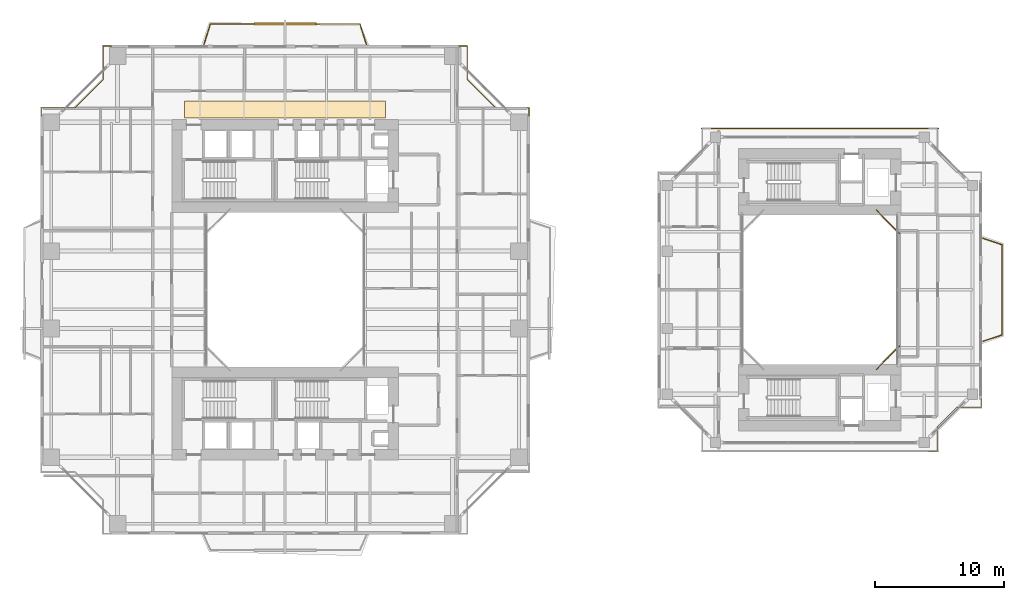
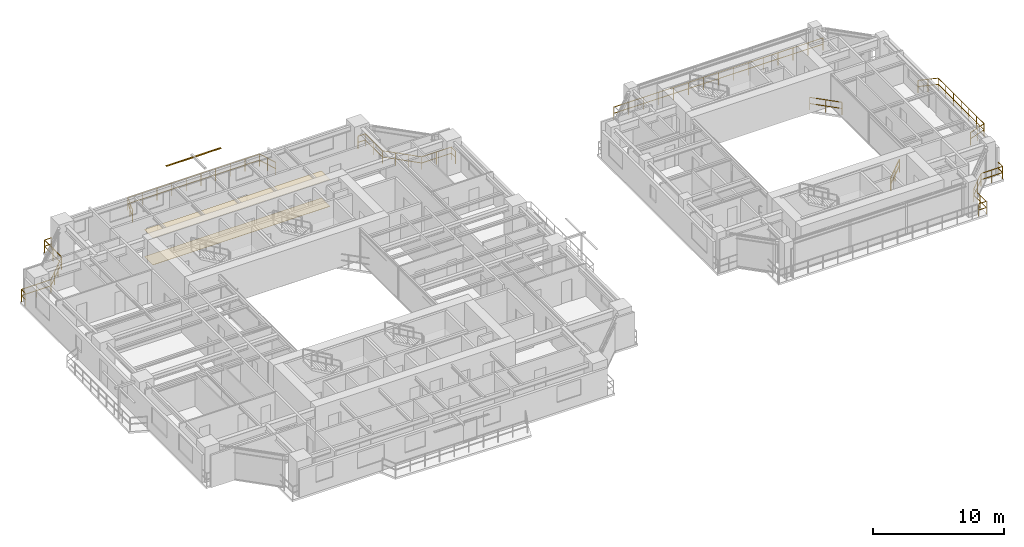
# One storey, part 22 of 23: 8 railings, 2 coverings, 1 shading device.
"""IFC4 building model written with IfcOpenShell, lengths in metres."""

from ifc_helpers import new_model, si_unit, direction, frame, origin, origin_2d, place, context, subcontext, project, spatial, polyline, rectangle, outline, extrude, source, transform, mapped, material, layer, layer_set, material_profile, profile_set, type_object, element, save


model = new_model("IFC4")

# Units and contexts
model_context = context("Model", 3, precision=1e-05, world=origin(), true_north=direction((0.0, 1.0)))
body_context = subcontext(model_context, "Body", "Model", "MODEL_VIEW")
ifc_project = project(units=[si_unit("LENGTHUNIT", "METRE"), si_unit("AREAUNIT", "SQUARE_METRE"), si_unit("VOLUMEUNIT", "CUBIC_METRE"), si_unit("PLANEANGLEUNIT", "RADIAN"), si_unit("MASSUNIT", "GRAM", prefix="KILO"), si_unit("THERMODYNAMICTEMPERATUREUNIT", "KELVIN"), si_unit("POWERUNIT", "WATT")], contexts=[model_context])

# Site, building, storey
site_placement = place(None, origin())
site = spatial("IfcSite", under=ifc_project, at=site_placement, CompositionType="ELEMENT")
building_placement = place(site_placement, origin())
building = spatial("IfcBuilding", under=site, at=building_placement, Name="Qiaomeng Ring Towers", CompositionType="ELEMENT")
storey_placement = place(building_placement, frame((0.0, 0.0, 89.25)))
storey = spatial("IfcBuildingStorey", under=building, at=storey_placement, Name="L25", CompositionType="ELEMENT", Elevation=89.25)

# Coverings
ifc_material_1 = material(Name="Moisture-resistant gypsum ceiling board", Category="gypsum")
ifc_layer_1 = layer(ifc_material_1, 0.030029296875, Name="Moisture-resistant gypsum ceiling board")
ifc_layer_set_1 = layer_set([ifc_layer_1], Name="Moisture-resistant gypsum ceiling board")
covering_type_1 = type_object("IfcCoveringType", Name="ARC-COV-CEIL2", PredefinedType="CEILING", material=ifc_layer_set_1)
covering_1_placement = place(storey_placement, frame((0.0, 0.0, 2.510009765625)))
element("IfcCovering", 1, at=covering_1_placement, inside=storey, type_object=covering_type_1, Name="L25 Corridor Acoustic Ceiling", PredefinedType="CEILING", context=body_context, shape_type="SweptSolid", body=[
    extrude(outline(polyline([(11.199951171875, 36.35009765625), (11.199951171875, 37.64990234375), (26.800048828125, 37.64990234375), (26.800048828125, 36.35009765625), (11.199951171875, 36.35009765625)])), origin(), (0.0, 0.0, 1.0), 0.02490234375),
])
ifc_material_2 = material(Name="Vitrified porcelain floor tile", Category="ceramic")
ifc_layer_2 = layer(ifc_material_2, 0.02001953125, Name="Vitrified porcelain floor tile")
ifc_layer_set_2 = layer_set([ifc_layer_2], Name="Vitrified porcelain floor tile")
covering_type_2 = type_object("IfcCoveringType", Name="ARC-COV-FLR1", PredefinedType="FLOORING", material=ifc_layer_set_2)
covering_2_placement = place(storey_placement, origin())
element("IfcCovering", 2, at=covering_2_placement, inside=storey, type_object=covering_type_2, Name="L25 Corridor Stone Flooring", PredefinedType="FLOORING", context=body_context, shape_type="SweptSolid", body=[
    extrude(outline(polyline([(11.199951171875, 36.35009765625), (11.199951171875, 37.64990234375), (26.800048828125, 37.64990234375), (26.800048828125, 36.35009765625), (11.199951171875, 36.35009765625)])), origin(), (0.0, 0.0, 1.0), 0.02001953125),
])

# Railings
ifc_material_3 = material(Name="Low-E pale-green laminated safety glass", Category="glass")
railing_type = type_object("IfcRailingType", Name="ARC-RL-BAL1", PredefinedType="BALUSTRADE", material=ifc_material_3)
railing_1_placement = place(storey_placement, frame((37.919921875, 36.469970703125, 0.0)))
element("IfcRailing", 3, at=railing_1_placement, inside=storey, type_object=railing_type, Name="L25 Balustrade ARC-BAL-NOTCH1-L25-NE", PredefinedType="BALUSTRADE", context=body_context, shape_type="SweptSolid", body=[
    extrude(rectangle(XDim=0.048095703125, YDim=0.048095703125, at=origin_2d()), frame((0.0, 0.0, 1.17578125), z_axis=(0.0, 1.0, 0.0), x_axis=(-1.0, 0.0, 0.0)), (0.0, 0.0, 1.0), 0.650146484375),
    extrude(rectangle(XDim=0.048095703125, YDim=0.048095703125, at=origin_2d()), frame((0.0, 0.0, 0.60009765625), z_axis=(0.0, 1.0, 0.0), x_axis=(-1.0, 0.0, 0.0)), (0.0, 0.0, 1.0), 0.650146484375),
    extrude(rectangle(XDim=0.048095703125, YDim=0.048095703125, at=origin_2d()), frame((0.0, 0.650146484375, 1.17578125), z_axis=(-1.0, 0.0, 0.0), x_axis=(0.0, -1.0, 0.0)), (0.0, 0.0, 1.0), 2.599853515625),
    extrude(rectangle(XDim=0.048095703125, YDim=0.048095703125, at=origin_2d()), frame((0.0, 0.650146484375, 0.60009765625), z_axis=(-1.0, 0.0, 0.0), x_axis=(0.0, -1.0, 0.0)), (0.0, 0.0, 1.0), 2.599853515625),
    extrude(rectangle(XDim=0.048095703125, YDim=0.048095703125, at=origin_2d()), frame((-2.599853515625, 0.650146484375, 1.17578125), z_axis=(-0.707106781187, 0.707106781187, 0.0), x_axis=(-0.707106781187, -0.707106781187, 0.0)), (0.0, 0.0, 1.0), 3.111083984375),
    extrude(rectangle(XDim=0.048095703125, YDim=0.048095703125, at=origin_2d()), frame((-2.599853515625, 0.650146484375, 0.60009765625), z_axis=(-0.707106781187, 0.707106781187, 0.0), x_axis=(-0.707106781187, -0.707106781187, 0.0)), (0.0, 0.0, 1.0), 3.111083984375),
    extrude(rectangle(XDim=0.048095703125, YDim=0.048095703125, at=origin_2d()), frame((-4.7998046875, 2.85009765625, 1.17578125), z_axis=(0.0, 1.0, 0.0), x_axis=(-1.0, 0.0, 0.0)), (0.0, 0.0, 1.0), 2.599853515625),
    extrude(rectangle(XDim=0.048095703125, YDim=0.048095703125, at=origin_2d()), frame((-4.7998046875, 2.85009765625, 0.60009765625), z_axis=(0.0, 1.0, 0.0), x_axis=(-1.0, 0.0, 0.0)), (0.0, 0.0, 1.0), 2.599853515625),
    extrude(rectangle(XDim=0.048095703125, YDim=0.048095703125, at=origin_2d()), frame((-4.7998046875, 5.449951171875, 1.17578125), z_axis=(-1.0, 0.0, 0.0), x_axis=(0.0, -1.0, 0.0)), (0.0, 0.0, 1.0), 0.650146484375),
    extrude(rectangle(XDim=0.048095703125, YDim=0.048095703125, at=origin_2d()), frame((-4.7998046875, 5.449951171875, 0.60009765625), z_axis=(-1.0, 0.0, 0.0), x_axis=(0.0, -1.0, 0.0)), (0.0, 0.0, 1.0), 0.650146484375),
    extrude(rectangle(XDim=0.0419921875, YDim=0.0419921875, at=origin_2d()), origin(), (0.0, 0.0, 1.0), 1.15185546875),
    extrude(rectangle(XDim=0.0419921875, YDim=0.0419921875, at=origin_2d()), frame((0.0, 0.650146484375, 0.0)), (0.0, 0.0, 1.0), 1.15185546875),
    extrude(rectangle(XDim=0.0419921875, YDim=0.0419921875, at=origin_2d()), frame((-1.2998046875, 0.650146484375, 0.0)), (0.0, 0.0, 1.0), 1.15185546875),
    extrude(rectangle(XDim=0.0419921875, YDim=0.0419921875, at=origin_2d()), frame((-2.599853515625, 0.650146484375, 0.0)), (0.0, 0.0, 1.0), 1.15185546875),
    extrude(rectangle(XDim=0.0419921875, YDim=0.0419921875, at=origin_2d()), frame((-3.333251953125, 1.383544921875, 0.0)), (0.0, 0.0, 1.0), 1.15185546875),
    extrude(rectangle(XDim=0.0419921875, YDim=0.0419921875, at=origin_2d()), frame((-4.06640625, 2.11669921875, 0.0)), (0.0, 0.0, 1.0), 1.15185546875),
    extrude(rectangle(XDim=0.0419921875, YDim=0.0419921875, at=origin_2d()), frame((-4.7998046875, 2.85009765625, 0.0)), (0.0, 0.0, 1.0), 1.15185546875),
    extrude(rectangle(XDim=0.0419921875, YDim=0.0419921875, at=origin_2d()), frame((-4.7998046875, 4.14990234375, 0.0)), (0.0, 0.0, 1.0), 1.15185546875),
    extrude(rectangle(XDim=0.0419921875, YDim=0.0419921875, at=origin_2d()), frame((-4.7998046875, 5.449951171875, 0.0)), (0.0, 0.0, 1.0), 1.15185546875),
    extrude(rectangle(XDim=0.0419921875, YDim=0.0419921875, at=origin_2d()), frame((-5.449951171875, 5.449951171875, 0.0)), (0.0, 0.0, 1.0), 1.15185546875),
])
railing_2_placement = place(storey_placement, frame((5.530029296875, 41.919921875, 0.0)))
element("IfcRailing", 4, at=railing_2_placement, inside=storey, type_object=railing_type, Name="L25 Balustrade ARC-BAL-NOTCH1-L25-NW", PredefinedType="BALUSTRADE", context=body_context, shape_type="SweptSolid", body=[
    extrude(rectangle(XDim=0.048095703125, YDim=0.048095703125, at=origin_2d()), frame((0.0, 0.0, 1.17578125), z_axis=(-1.0, 0.0, 0.0), x_axis=(0.0, -1.0, 0.0)), (0.0, 0.0, 1.0), 0.650146484375),
    extrude(rectangle(XDim=0.048095703125, YDim=0.048095703125, at=origin_2d()), frame((0.0, 0.0, 0.60009765625), z_axis=(-1.0, 0.0, 0.0), x_axis=(0.0, -1.0, 0.0)), (0.0, 0.0, 1.0), 0.650146484375),
    extrude(rectangle(XDim=0.048095703125, YDim=0.048095703125, at=origin_2d()), frame((-0.650146484375, 0.0, 1.17578125), z_axis=(0.0, -1.0, 0.0), x_axis=(1.0, 0.0, 0.0)), (0.0, 0.0, 1.0), 2.599853515625),
    extrude(rectangle(XDim=0.048095703125, YDim=0.048095703125, at=origin_2d()), frame((-0.650146484375, 0.0, 0.60009765625), z_axis=(0.0, -1.0, 0.0), x_axis=(1.0, 0.0, 0.0)), (0.0, 0.0, 1.0), 2.599853515625),
    extrude(rectangle(XDim=0.048095703125, YDim=0.048095703125, at=origin_2d()), frame((-0.650146484375, -2.599853515625, 1.17578125), z_axis=(-0.707106781187, -0.707106781187, 0.0), x_axis=(0.707106781187, -0.707106781187, 0.0)), (0.0, 0.0, 1.0), 3.111083984375),
    extrude(rectangle(XDim=0.048095703125, YDim=0.048095703125, at=origin_2d()), frame((-0.650146484375, -2.599853515625, 0.60009765625), z_axis=(-0.707106781187, -0.707106781187, 0.0), x_axis=(0.707106781187, -0.707106781187, 0.0)), (0.0, 0.0, 1.0), 3.111083984375),
    extrude(rectangle(XDim=0.048095703125, YDim=0.048095703125, at=origin_2d()), frame((-2.85009765625, -4.7998046875, 1.17578125), z_axis=(-1.0, 0.0, 0.0), x_axis=(0.0, -1.0, 0.0)), (0.0, 0.0, 1.0), 2.599853515625),
    extrude(rectangle(XDim=0.048095703125, YDim=0.048095703125, at=origin_2d()), frame((-2.85009765625, -4.7998046875, 0.60009765625), z_axis=(-1.0, 0.0, 0.0), x_axis=(0.0, -1.0, 0.0)), (0.0, 0.0, 1.0), 2.599853515625),
    extrude(rectangle(XDim=0.048095703125, YDim=0.048095703125, at=origin_2d()), frame((-5.449951171875, -4.7998046875, 1.17578125), z_axis=(0.0, -1.0, 0.0), x_axis=(1.0, 0.0, 0.0)), (0.0, 0.0, 1.0), 0.650146484375),
    extrude(rectangle(XDim=0.048095703125, YDim=0.048095703125, at=origin_2d()), frame((-5.449951171875, -4.7998046875, 0.60009765625), z_axis=(0.0, -1.0, 0.0), x_axis=(1.0, 0.0, 0.0)), (0.0, 0.0, 1.0), 0.650146484375),
    extrude(rectangle(XDim=0.0419921875, YDim=0.0419921875, at=origin_2d()), origin(), (0.0, 0.0, 1.0), 1.15185546875),
    extrude(rectangle(XDim=0.0419921875, YDim=0.0419921875, at=origin_2d()), frame((-0.650146484375, 0.0, 0.0)), (0.0, 0.0, 1.0), 1.15185546875),
    extrude(rectangle(XDim=0.0419921875, YDim=0.0419921875, at=origin_2d()), frame((-0.650146484375, -1.2998046875, 0.0)), (0.0, 0.0, 1.0), 1.15185546875),
    extrude(rectangle(XDim=0.0419921875, YDim=0.0419921875, at=origin_2d()), frame((-0.650146484375, -2.599853515625, 0.0)), (0.0, 0.0, 1.0), 1.15185546875),
    extrude(rectangle(XDim=0.0419921875, YDim=0.0419921875, at=origin_2d()), frame((-1.383544921875, -3.333251953125, 0.0)), (0.0, 0.0, 1.0), 1.15185546875),
    extrude(rectangle(XDim=0.0419921875, YDim=0.0419921875, at=origin_2d()), frame((-2.11669921875, -4.06640625, 0.0)), (0.0, 0.0, 1.0), 1.15185546875),
    extrude(rectangle(XDim=0.0419921875, YDim=0.0419921875, at=origin_2d()), frame((-2.85009765625, -4.7998046875, 0.0)), (0.0, 0.0, 1.0), 1.15185546875),
    extrude(rectangle(XDim=0.0419921875, YDim=0.0419921875, at=origin_2d()), frame((-4.14990234375, -4.7998046875, 0.0)), (0.0, 0.0, 1.0), 1.15185546875),
    extrude(rectangle(XDim=0.0419921875, YDim=0.0419921875, at=origin_2d()), frame((-5.449951171875, -4.7998046875, 0.0)), (0.0, 0.0, 1.0), 1.15185546875),
    extrude(rectangle(XDim=0.0419921875, YDim=0.0419921875, at=origin_2d()), frame((-5.449951171875, -5.449951171875, 0.0)), (0.0, 0.0, 1.0), 1.15185546875),
])
railing_3_placement = place(storey_placement, frame((12.699951171875, 42.050048828125, 0.0)))
element("IfcRailing", 5, at=railing_3_placement, inside=storey, type_object=railing_type, Name="L25 Balustrade ARC-BAL-L25-T1-N", PredefinedType="BALUSTRADE", context=body_context, shape_type="SweptSolid", body=[
    extrude(rectangle(XDim=0.048095703125, YDim=0.048095703125, at=origin_2d()), frame((0.0, 0.0, 1.17578125), z_axis=(0.300009430376, 0.95393623565, 0.0), x_axis=(-0.95393623565, 0.300009430376, 0.0)), (0.0, 0.0, 1.0), 1.66650390625),
    extrude(rectangle(XDim=0.048095703125, YDim=0.048095703125, at=origin_2d()), frame((0.0, 0.0, 0.60009765625), z_axis=(0.300009430376, 0.95393623565, 0.0), x_axis=(-0.95393623565, 0.300009430376, 0.0)), (0.0, 0.0, 1.0), 1.66650390625),
    extrude(rectangle(XDim=0.048095703125, YDim=0.048095703125, at=origin_2d()), frame((0.5, 1.58984375, 1.17578125), z_axis=(1.0, 0.0, 0.0), x_axis=(0.0, 1.0, 0.0)), (0.0, 0.0, 1.0), 11.60009765625),
    extrude(rectangle(XDim=0.048095703125, YDim=0.048095703125, at=origin_2d()), frame((0.5, 1.58984375, 0.60009765625), z_axis=(1.0, 0.0, 0.0), x_axis=(0.0, 1.0, 0.0)), (0.0, 0.0, 1.0), 11.60009765625),
    extrude(rectangle(XDim=0.048095703125, YDim=0.048095703125, at=origin_2d()), frame((12.10009765625, 1.58984375, 1.17578125), z_axis=(0.300009430376, -0.95393623565, 0.0), x_axis=(0.95393623565, 0.300009430376, 0.0)), (0.0, 0.0, 1.0), 1.66650390625),
    extrude(rectangle(XDim=0.048095703125, YDim=0.048095703125, at=origin_2d()), frame((12.10009765625, 1.58984375, 0.60009765625), z_axis=(0.300009430376, -0.95393623565, 0.0), x_axis=(0.95393623565, 0.300009430376, 0.0)), (0.0, 0.0, 1.0), 1.66650390625),
    extrude(rectangle(XDim=0.0419921875, YDim=0.0419921875, at=origin_2d()), origin(), (0.0, 0.0, 1.0), 1.15185546875),
    extrude(rectangle(XDim=0.0419921875, YDim=0.0419921875, at=origin_2d()), frame((0.25, 0.794921875, 0.0)), (0.0, 0.0, 1.0), 1.15185546875),
    extrude(rectangle(XDim=0.0419921875, YDim=0.0419921875, at=origin_2d()), frame((0.5, 1.58984375, 0.0)), (0.0, 0.0, 1.0), 1.15185546875),
    extrude(rectangle(XDim=0.0419921875, YDim=0.0419921875, at=origin_2d()), frame((1.788818359375, 1.58984375, 0.0)), (0.0, 0.0, 1.0), 1.15185546875),
    extrude(rectangle(XDim=0.0419921875, YDim=0.0419921875, at=origin_2d()), frame((3.077880859375, 1.58984375, 0.0)), (0.0, 0.0, 1.0), 1.15185546875),
    extrude(rectangle(XDim=0.0419921875, YDim=0.0419921875, at=origin_2d()), frame((4.36669921875, 1.58984375, 0.0)), (0.0, 0.0, 1.0), 1.15185546875),
    extrude(rectangle(XDim=0.0419921875, YDim=0.0419921875, at=origin_2d()), frame((5.655517578125, 1.58984375, 0.0)), (0.0, 0.0, 1.0), 1.15185546875),
    extrude(rectangle(XDim=0.0419921875, YDim=0.0419921875, at=origin_2d()), frame((6.944580078125, 1.58984375, 0.0)), (0.0, 0.0, 1.0), 1.15185546875),
    extrude(rectangle(XDim=0.0419921875, YDim=0.0419921875, at=origin_2d()), frame((8.2333984375, 1.58984375, 0.0)), (0.0, 0.0, 1.0), 1.15185546875),
    extrude(rectangle(XDim=0.0419921875, YDim=0.0419921875, at=origin_2d()), frame((9.522216796875, 1.58984375, 0.0)), (0.0, 0.0, 1.0), 1.15185546875),
    extrude(rectangle(XDim=0.0419921875, YDim=0.0419921875, at=origin_2d()), frame((10.811279296875, 1.58984375, 0.0)), (0.0, 0.0, 1.0), 1.15185546875),
    extrude(rectangle(XDim=0.0419921875, YDim=0.0419921875, at=origin_2d()), frame((12.10009765625, 1.58984375, 0.0)), (0.0, 0.0, 1.0), 1.15185546875),
    extrude(rectangle(XDim=0.0419921875, YDim=0.0419921875, at=origin_2d()), frame((12.35009765625, 0.794921875, 0.0)), (0.0, 0.0, 1.0), 1.15185546875),
    extrude(rectangle(XDim=0.0419921875, YDim=0.0419921875, at=origin_2d()), frame((12.60009765625, 0.0, 0.0)), (0.0, 0.0, 1.0), 1.15185546875),
])
railing_4_placement = place(storey_placement, frame((64.8798828125, 16.820068359375, 0.0)))
element("IfcRailing", 6, at=railing_4_placement, inside=storey, type_object=railing_type, Name="L25 Balustrade ARC-BAL-WELL2-L25-1", PredefinedType="BALUSTRADE", context=body_context, shape_type="SweptSolid", body=[
    extrude(rectangle(XDim=0.048095703125, YDim=0.048095703125, at=origin_2d()), frame((0.0, 0.0, 1.17578125), z_axis=(0.707106781187, 0.707106781187, 0.0), x_axis=(-0.707106781187, 0.707106781187, 0.0)), (0.0, 0.0, 1.0), 2.545654296875),
    extrude(rectangle(XDim=0.048095703125, YDim=0.048095703125, at=origin_2d()), frame((0.0, 0.0, 0.60009765625), z_axis=(0.707106781187, 0.707106781187, 0.0), x_axis=(-0.707106781187, 0.707106781187, 0.0)), (0.0, 0.0, 1.0), 2.545654296875),
    extrude(rectangle(XDim=0.0419921875, YDim=0.0419921875, at=origin_2d()), origin(), (0.0, 0.0, 1.0), 1.15185546875),
    extrude(rectangle(XDim=0.0419921875, YDim=0.0419921875, at=origin_2d()), frame((0.89990234375, 0.89990234375, 0.0)), (0.0, 0.0, 1.0), 1.15185546875),
    extrude(rectangle(XDim=0.0419921875, YDim=0.0419921875, at=origin_2d()), frame((1.800048828125, 1.800048828125, 0.0)), (0.0, 0.0, 1.0), 1.15185546875),
])
railing_5_placement = place(storey_placement, frame((66.679931640625, 27.3798828125, 0.0)))
element("IfcRailing", 7, at=railing_5_placement, inside=storey, type_object=railing_type, Name="L25 Balustrade ARC-BAL-WELL2-L25-2", PredefinedType="BALUSTRADE", context=body_context, shape_type="SweptSolid", body=[
    extrude(rectangle(XDim=0.048095703125, YDim=0.048095703125, at=origin_2d()), frame((0.0, 0.0, 1.17578125), z_axis=(-0.707106781187, 0.707106781187, 0.0), x_axis=(-0.707106781187, -0.707106781187, 0.0)), (0.0, 0.0, 1.0), 2.545654296875),
    extrude(rectangle(XDim=0.048095703125, YDim=0.048095703125, at=origin_2d()), frame((0.0, 0.0, 0.60009765625), z_axis=(-0.707106781187, 0.707106781187, 0.0), x_axis=(-0.707106781187, -0.707106781187, 0.0)), (0.0, 0.0, 1.0), 2.545654296875),
    extrude(rectangle(XDim=0.0419921875, YDim=0.0419921875, at=origin_2d()), origin(), (0.0, 0.0, 1.0), 1.15185546875),
    extrude(rectangle(XDim=0.0419921875, YDim=0.0419921875, at=origin_2d()), frame((-0.89990234375, 0.89990234375, 0.0)), (0.0, 0.0, 1.0), 1.15185546875),
    extrude(rectangle(XDim=0.0419921875, YDim=0.0419921875, at=origin_2d()), frame((-1.800048828125, 1.800048828125, 0.0)), (0.0, 0.0, 1.0), 1.15185546875),
])
railing_6_placement = place(storey_placement, frame((68.969970703125, 10.47998046875, 0.0)))
element("IfcRailing", 8, at=railing_6_placement, inside=storey, type_object=railing_type, Name="L25 Balustrade ARC-BAL-NOTCH2-L25-SE", PredefinedType="BALUSTRADE", context=body_context, shape_type="SweptSolid", body=[
    extrude(rectangle(XDim=0.048095703125, YDim=0.048095703125, at=origin_2d()), frame((0.0, 0.0, 1.17578125), z_axis=(1.0, 0.0, 0.0), x_axis=(0.0, 1.0, 0.0)), (0.0, 0.0, 1.0), 0.650146484375),
    extrude(rectangle(XDim=0.048095703125, YDim=0.048095703125, at=origin_2d()), frame((0.0, 0.0, 0.60009765625), z_axis=(1.0, 0.0, 0.0), x_axis=(0.0, 1.0, 0.0)), (0.0, 0.0, 1.0), 0.650146484375),
    extrude(rectangle(XDim=0.048095703125, YDim=0.048095703125, at=origin_2d()), frame((0.650146484375, 0.0, 1.17578125), z_axis=(0.0, 1.0, 0.0), x_axis=(-1.0, 0.0, 0.0)), (0.0, 0.0, 1.0), 1.89990234375),
    extrude(rectangle(XDim=0.048095703125, YDim=0.048095703125, at=origin_2d()), frame((0.650146484375, 0.0, 0.60009765625), z_axis=(0.0, 1.0, 0.0), x_axis=(-1.0, 0.0, 0.0)), (0.0, 0.0, 1.0), 1.89990234375),
    extrude(rectangle(XDim=0.048095703125, YDim=0.048095703125, at=origin_2d()), frame((0.650146484375, 1.89990234375, 1.17578125), z_axis=(0.707106781187, 0.707106781187, 0.0), x_axis=(-0.707106781187, 0.707106781187, 0.0)), (0.0, 0.0, 1.0), 2.121337890625),
    extrude(rectangle(XDim=0.048095703125, YDim=0.048095703125, at=origin_2d()), frame((0.650146484375, 1.89990234375, 0.60009765625), z_axis=(0.707106781187, 0.707106781187, 0.0), x_axis=(-0.707106781187, 0.707106781187, 0.0)), (0.0, 0.0, 1.0), 2.121337890625),
    extrude(rectangle(XDim=0.048095703125, YDim=0.048095703125, at=origin_2d()), frame((2.150146484375, 3.39990234375, 1.17578125), z_axis=(1.0, 0.0, 0.0), x_axis=(0.0, 1.0, 0.0)), (0.0, 0.0, 1.0), 1.89990234375),
    extrude(rectangle(XDim=0.048095703125, YDim=0.048095703125, at=origin_2d()), frame((2.150146484375, 3.39990234375, 0.60009765625), z_axis=(1.0, 0.0, 0.0), x_axis=(0.0, 1.0, 0.0)), (0.0, 0.0, 1.0), 1.89990234375),
    extrude(rectangle(XDim=0.048095703125, YDim=0.048095703125, at=origin_2d()), frame((4.050048828125, 3.39990234375, 1.17578125), z_axis=(0.0, 1.0, 0.0), x_axis=(-1.0, 0.0, 0.0)), (0.0, 0.0, 1.0), 0.650146484375),
    extrude(rectangle(XDim=0.048095703125, YDim=0.048095703125, at=origin_2d()), frame((4.050048828125, 3.39990234375, 0.60009765625), z_axis=(0.0, 1.0, 0.0), x_axis=(-1.0, 0.0, 0.0)), (0.0, 0.0, 1.0), 0.650146484375),
    extrude(rectangle(XDim=0.0419921875, YDim=0.0419921875, at=origin_2d()), origin(), (0.0, 0.0, 1.0), 1.15185546875),
    extrude(rectangle(XDim=0.0419921875, YDim=0.0419921875, at=origin_2d()), frame((0.650146484375, 0.0, 0.0)), (0.0, 0.0, 1.0), 1.15185546875),
    extrude(rectangle(XDim=0.0419921875, YDim=0.0419921875, at=origin_2d()), frame((0.650146484375, 0.949951171875, 0.0)), (0.0, 0.0, 1.0), 1.15185546875),
    extrude(rectangle(XDim=0.0419921875, YDim=0.0419921875, at=origin_2d()), frame((0.650146484375, 1.89990234375, 0.0)), (0.0, 0.0, 1.0), 1.15185546875),
    extrude(rectangle(XDim=0.0419921875, YDim=0.0419921875, at=origin_2d()), frame((1.400146484375, 2.64990234375, 0.0)), (0.0, 0.0, 1.0), 1.15185546875),
    extrude(rectangle(XDim=0.0419921875, YDim=0.0419921875, at=origin_2d()), frame((2.150146484375, 3.39990234375, 0.0)), (0.0, 0.0, 1.0), 1.15185546875),
    extrude(rectangle(XDim=0.0419921875, YDim=0.0419921875, at=origin_2d()), frame((3.10009765625, 3.39990234375, 0.0)), (0.0, 0.0, 1.0), 1.15185546875),
    extrude(rectangle(XDim=0.0419921875, YDim=0.0419921875, at=origin_2d()), frame((4.050048828125, 3.39990234375, 0.0)), (0.0, 0.0, 1.0), 1.15185546875),
    extrude(rectangle(XDim=0.0419921875, YDim=0.0419921875, at=origin_2d()), frame((4.050048828125, 4.050048828125, 0.0)), (0.0, 0.0, 1.0), 1.15185546875),
])
railing_7_placement = place(storey_placement, frame((51.300048828125, 35.52001953125, 0.0)))
element("IfcRailing", 9, at=railing_7_placement, inside=storey, type_object=railing_type, Name="L25 Balustrade ARC-BAL-T2N-L25", PredefinedType="BALUSTRADE", context=body_context, shape_type="SweptSolid", body=[
    extrude(rectangle(XDim=0.048095703125, YDim=0.048095703125, at=origin_2d()), frame((0.0, 0.0, 1.17578125), z_axis=(1.0, 0.0, 0.0), x_axis=(0.0, 1.0, 0.0)), (0.0, 0.0, 1.0), 18.39990234375),
    extrude(rectangle(XDim=0.048095703125, YDim=0.048095703125, at=origin_2d()), frame((0.0, 0.0, 0.60009765625), z_axis=(1.0, 0.0, 0.0), x_axis=(0.0, 1.0, 0.0)), (0.0, 0.0, 1.0), 18.39990234375),
    extrude(rectangle(XDim=0.0419921875, YDim=0.0419921875, at=origin_2d()), origin(), (0.0, 0.0, 1.0), 1.15185546875),
    extrude(rectangle(XDim=0.0419921875, YDim=0.0419921875, at=origin_2d()), frame((1.314208984375, 0.0, 0.0)), (0.0, 0.0, 1.0), 1.15185546875),
    extrude(rectangle(XDim=0.0419921875, YDim=0.0419921875, at=origin_2d()), frame((2.628662109375, 0.0, 0.0)), (0.0, 0.0, 1.0), 1.15185546875),
    extrude(rectangle(XDim=0.0419921875, YDim=0.0419921875, at=origin_2d()), frame((3.94287109375, 0.0, 0.0)), (0.0, 0.0, 1.0), 1.15185546875),
    extrude(rectangle(XDim=0.0419921875, YDim=0.0419921875, at=origin_2d()), frame((5.257080078125, 0.0, 0.0)), (0.0, 0.0, 1.0), 1.15185546875),
    extrude(rectangle(XDim=0.0419921875, YDim=0.0419921875, at=origin_2d()), frame((6.5712890625, 0.0, 0.0)), (0.0, 0.0, 1.0), 1.15185546875),
    extrude(rectangle(XDim=0.0419921875, YDim=0.0419921875, at=origin_2d()), frame((7.8857421875, 0.0, 0.0)), (0.0, 0.0, 1.0), 1.15185546875),
    extrude(rectangle(XDim=0.0419921875, YDim=0.0419921875, at=origin_2d()), frame((9.199951171875, 0.0, 0.0)), (0.0, 0.0, 1.0), 1.15185546875),
    extrude(rectangle(XDim=0.0419921875, YDim=0.0419921875, at=origin_2d()), frame((10.51416015625, 0.0, 0.0)), (0.0, 0.0, 1.0), 1.15185546875),
    extrude(rectangle(XDim=0.0419921875, YDim=0.0419921875, at=origin_2d()), frame((11.82861328125, 0.0, 0.0)), (0.0, 0.0, 1.0), 1.15185546875),
    extrude(rectangle(XDim=0.0419921875, YDim=0.0419921875, at=origin_2d()), frame((13.142822265625, 0.0, 0.0)), (0.0, 0.0, 1.0), 1.15185546875),
    extrude(rectangle(XDim=0.0419921875, YDim=0.0419921875, at=origin_2d()), frame((14.45703125, 0.0, 0.0)), (0.0, 0.0, 1.0), 1.15185546875),
    extrude(rectangle(XDim=0.0419921875, YDim=0.0419921875, at=origin_2d()), frame((15.771240234375, 0.0, 0.0)), (0.0, 0.0, 1.0), 1.15185546875),
    extrude(rectangle(XDim=0.0419921875, YDim=0.0419921875, at=origin_2d()), frame((17.085693359375, 0.0, 0.0)), (0.0, 0.0, 1.0), 1.15185546875),
    extrude(rectangle(XDim=0.0419921875, YDim=0.0419921875, at=origin_2d()), frame((18.39990234375, 0.0, 0.0)), (0.0, 0.0, 1.0), 1.15185546875),
])
railing_8_placement = place(storey_placement, frame((73.14990234375, 19.0, 0.0)))
element("IfcRailing", 10, at=railing_8_placement, inside=storey, type_object=railing_type, Name="L25 Balustrade ARC-BAL-L25-T2-E", PredefinedType="BALUSTRADE", context=body_context, shape_type="SweptSolid", body=[
    extrude(rectangle(XDim=0.048095703125, YDim=0.048095703125, at=origin_2d()), frame((0.0, 0.0, 1.17578125), z_axis=(0.948044476945, 0.318137815629, 0.0), x_axis=(-0.318137815629, 0.948044476945, 0.0)), (0.0, 0.0, 1.0), 1.571533203125),
    extrude(rectangle(XDim=0.048095703125, YDim=0.048095703125, at=origin_2d()), frame((0.0, 0.0, 0.60009765625), z_axis=(0.948044476945, 0.318137815629, 0.0), x_axis=(-0.318137815629, 0.948044476945, 0.0)), (0.0, 0.0, 1.0), 1.571533203125),
    extrude(rectangle(XDim=0.048095703125, YDim=0.048095703125, at=origin_2d()), frame((1.489990234375, 0.5, 1.17578125), z_axis=(0.0, 1.0, 0.0), x_axis=(-1.0, 0.0, 0.0)), (0.0, 0.0, 1.0), 7.0),
    extrude(rectangle(XDim=0.048095703125, YDim=0.048095703125, at=origin_2d()), frame((1.489990234375, 0.5, 0.60009765625), z_axis=(0.0, 1.0, 0.0), x_axis=(-1.0, 0.0, 0.0)), (0.0, 0.0, 1.0), 7.0),
    extrude(rectangle(XDim=0.048095703125, YDim=0.048095703125, at=origin_2d()), frame((1.489990234375, 7.5, 1.17578125), z_axis=(-0.948044476945, 0.318137815629, 0.0), x_axis=(-0.318137815629, -0.948044476945, 0.0)), (0.0, 0.0, 1.0), 1.571533203125),
    extrude(rectangle(XDim=0.048095703125, YDim=0.048095703125, at=origin_2d()), frame((1.489990234375, 7.5, 0.60009765625), z_axis=(-0.948044476945, 0.318137815629, 0.0), x_axis=(-0.318137815629, -0.948044476945, 0.0)), (0.0, 0.0, 1.0), 1.571533203125),
    extrude(rectangle(XDim=0.0419921875, YDim=0.0419921875, at=origin_2d()), origin(), (0.0, 0.0, 1.0), 1.15185546875),
    extrude(rectangle(XDim=0.0419921875, YDim=0.0419921875, at=origin_2d()), frame((0.7451171875, 0.25, 0.0)), (0.0, 0.0, 1.0), 1.15185546875),
    extrude(rectangle(XDim=0.0419921875, YDim=0.0419921875, at=origin_2d()), frame((1.489990234375, 0.5, 0.0)), (0.0, 0.0, 1.0), 1.15185546875),
    extrude(rectangle(XDim=0.0419921875, YDim=0.0419921875, at=origin_2d()), frame((1.489990234375, 1.666748046875, 0.0)), (0.0, 0.0, 1.0), 1.15185546875),
    extrude(rectangle(XDim=0.0419921875, YDim=0.0419921875, at=origin_2d()), frame((1.489990234375, 2.833251953125, 0.0)), (0.0, 0.0, 1.0), 1.15185546875),
    extrude(rectangle(XDim=0.0419921875, YDim=0.0419921875, at=origin_2d()), frame((1.489990234375, 4.0, 0.0)), (0.0, 0.0, 1.0), 1.15185546875),
    extrude(rectangle(XDim=0.0419921875, YDim=0.0419921875, at=origin_2d()), frame((1.489990234375, 5.166748046875, 0.0)), (0.0, 0.0, 1.0), 1.15185546875),
    extrude(rectangle(XDim=0.0419921875, YDim=0.0419921875, at=origin_2d()), frame((1.489990234375, 6.333251953125, 0.0)), (0.0, 0.0, 1.0), 1.15185546875),
    extrude(rectangle(XDim=0.0419921875, YDim=0.0419921875, at=origin_2d()), frame((1.489990234375, 7.5, 0.0)), (0.0, 0.0, 1.0), 1.15185546875),
    extrude(rectangle(XDim=0.0419921875, YDim=0.0419921875, at=origin_2d()), frame((0.7451171875, 7.75, 0.0)), (0.0, 0.0, 1.0), 1.15185546875),
    extrude(rectangle(XDim=0.0419921875, YDim=0.0419921875, at=origin_2d()), frame((0.0, 8.0, 0.0)), (0.0, 0.0, 1.0), 1.15185546875),
])

# Shading device
ifc_material_4 = material(Name="Fluorocarbon dark-grey aluminium", Category="aluminium")
ifc_material_profile = material_profile(ifc_material_4, rectangle(XDim=0.14990234375, YDim=0.034912109375, at=origin_2d()), Name="LV BLADE 150x35")
ifc_profile_set = profile_set([ifc_material_profile], Name="Fluorocarbon dark-grey aluminium")
shading_device_type = type_object("IfcShadingDeviceType", Name="ARC-SHD-SUN", PredefinedType="AWNING", material=ifc_profile_set)
shared_shape = source(origin(), body_context, "Body", "SweptSolid", [
    extrude(rectangle(XDim=0.14990234375, YDim=0.034912109375, at=origin_2d()), origin(), (0.0, 0.0, 1.0), 4.7998046875),
])
shading_device_placement = place(storey_placement, frame((16.60009765625, 43.639892578125, 2.929931640625), z_axis=(1.0, 0.0, 0.0), x_axis=(0.0, 1.0, 0.0)))
element("IfcShadingDevice", 11, at=shading_device_placement, inside=storey, type_object=shading_device_type, Name="L25 Ventilated Outer-Skin Sunshade N", PredefinedType="AWNING", context=body_context, shape_type="MappedRepresentation", body=[
    mapped(shared_shape, transform((0.0, 0.0, 0.0), x_axis=(1.0, 0.0, 0.0), y_axis=(0.0, 1.0, 0.0), z_axis=(0.0, 0.0, 1.0), scale=1.0)),
])

save(model, "model.ifc")
